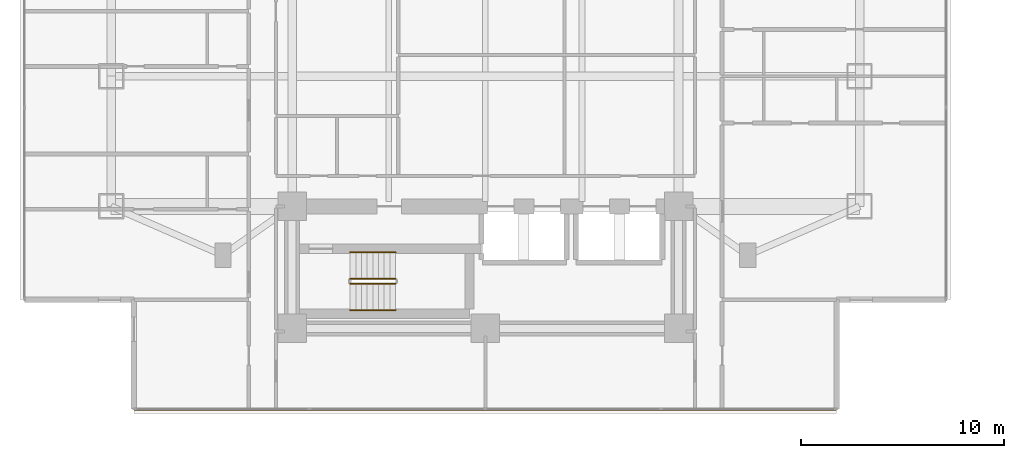
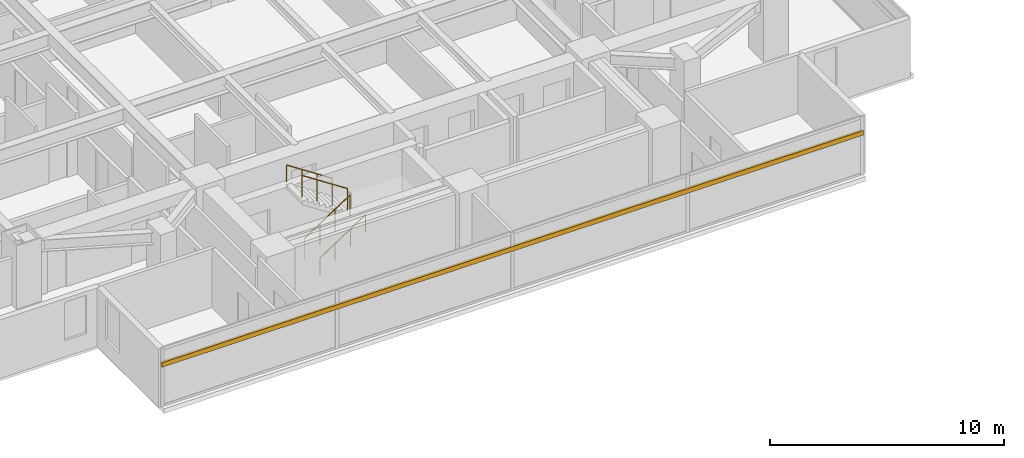
# One storey, part 23 of 27: 4 railings, 1 shading device.
"""IFC4 building model written with IfcOpenShell, lengths in metres."""

import ifcopenshell
import ifcopenshell.guid

model = None  # the IFC model being written
_history = None  # IfcOwnerHistory: only IFC2X3 demands one
_inside = {}  # id of a spatial element -> (the spatial element, [elements in it])
_under = {}  # id of a project, library or spatial element -> (it, [spatial elements below it])
_declared = {}  # id of a project -> (the project, [libraries it declares])
_typed = {}  # id of a type object -> (the type object, [elements of that type])
_made_of = {}  # id of a material, layer set ... -> (it, [elements and type objects made of it])


def new_model(schema):
    """Start an empty IFC model of exactly this schema.

    Asked for "IFC4X3", IfcOpenShell would pick the latest addendum, in which some entities
    have other attributes; the version numbers below select the first issue.
    IFC2X3 requires an IfcOwnerHistory on every rooted entity: one is made here for all.
    """
    global model, _history
    if schema == "IFC4X3":
        model = ifcopenshell.file(schema_version=(4, 3, 0, 0))
    else:
        model = ifcopenshell.file(schema=schema)
    _inside.clear()
    _under.clear()
    _declared.clear()
    _typed.clear()
    _made_of.clear()
    _history = None
    if model.schema == "IFC2X3":
        org = make("IfcOrganization", Name="unknown")
        user = make(
            "IfcPersonAndOrganization",
            ThePerson=make("IfcPerson", FamilyName="unknown"),
            TheOrganization=org,
        )
        app = make(
            "IfcApplication",
            ApplicationDeveloper=org,
            Version="unknown",
            ApplicationFullName="unknown",
            ApplicationIdentifier="unknown",
        )
        _history = make(
            "IfcOwnerHistory",
            OwningUser=user,
            OwningApplication=app,
            ChangeAction="ADDED",
            CreationDate=0,
        )
    return model


def make(cls, **values):
    """One entity of the class cls with the attributes given. An attribute that is None is left unset."""
    return model.create_entity(
        cls, **{name: value for name, value in values.items() if value is not None}
    )


def rooted(cls, **values):
    """An entity with a GlobalId (a new one), such as an element, a storey or a relation."""
    return make(cls, GlobalId=ifcopenshell.guid.new(), OwnerHistory=_history, **values)


def si_unit(unit_type, name, prefix=None):
    """IfcSIUnit, for example si_unit("LENGTHUNIT", "METRE", prefix="MILLI")."""
    return make("IfcSIUnit", UnitType=unit_type, Prefix=prefix, Name=name)


def assignment(units):
    """IfcUnitAssignment: the units of a project."""
    return None if units is None else make("IfcUnitAssignment", Units=units)


def point(xyz):
    """IfcCartesianPoint."""
    return None if xyz is None else make("IfcCartesianPoint", Coordinates=xyz)


def direction(xyz):
    """IfcDirection."""
    return None if xyz is None else make("IfcDirection", DirectionRatios=xyz)


def frame(location, z_axis=None, x_axis=None):
    """IfcAxis2Placement3D, a coordinate frame: its origin and axes. An axis left out is left unset."""
    return make(
        "IfcAxis2Placement3D",
        Location=point(location),
        Axis=direction(z_axis),
        RefDirection=direction(x_axis),
    )


def frame_2d(location, x_axis=None):
    """IfcAxis2Placement2D, a coordinate frame in the plane: its origin and x axis."""
    return make(
        "IfcAxis2Placement2D", Location=point(location), RefDirection=direction(x_axis)
    )


def origin():
    """The frame at (0, 0, 0) with its axes left unset."""
    return frame((0.0, 0.0, 0.0))


def origin_2d():
    """The frame at (0, 0) in the plane with its x axis left unset."""
    return frame_2d((0.0, 0.0))


def place(relative_to, where):
    """IfcLocalPlacement: puts the frame where relative to a parent placement (None: the world)."""
    return make(
        "IfcLocalPlacement", PlacementRelTo=relative_to, RelativePlacement=where
    )


def context(
    kind, dimensions, precision=None, world=None, true_north=None, identifier=None
):
    """IfcGeometricRepresentationContext, for example the 3D "Model" context."""
    return make(
        "IfcGeometricRepresentationContext",
        ContextIdentifier=identifier,
        ContextType=kind,
        CoordinateSpaceDimension=dimensions,
        Precision=precision,
        WorldCoordinateSystem=world,
        TrueNorth=true_north,
    )


def subcontext(parent, identifier, kind, view, scale=None):
    """IfcGeometricRepresentationSubContext, for example "Body" below "Model"."""
    return make(
        "IfcGeometricRepresentationSubContext",
        ContextIdentifier=identifier,
        ContextType=kind,
        ParentContext=parent,
        TargetScale=scale,
        TargetView=view,
    )


def project(units=None, contexts=None):
    """IfcProject with its units and contexts."""
    return rooted(
        "IfcProject",
        Name="project",
        RepresentationContexts=contexts,
        UnitsInContext=assignment(units),
    )


def spatial(cls, under=None, at=None, **own):
    """A site, building, storey or space (cls), placed at a placement, below another one or the project."""
    s = rooted(cls, ObjectPlacement=at, **own)
    if under is not None:
        _under.setdefault(under.id(), (under, []))[1].append(s)
    return s


def profile(cls, at=None, kind="AREA", **sizes):
    """A parametric profile (cls). Its sizes go by their IFC names, for example OverallWidth=200.0."""
    return make(cls, ProfileType=kind, Position=at, **sizes)


def rectangle(**sizes):
    """IfcRectangleProfileDef."""
    return profile("IfcRectangleProfileDef", **sizes)


def circle(**sizes):
    """IfcCircleProfileDef."""
    return profile("IfcCircleProfileDef", **sizes)


def extrude(swept, where, along, depth):
    """IfcExtrudedAreaSolid: the profile swept, set in the frame where, extruded along a direction by depth."""
    return make(
        "IfcExtrudedAreaSolid",
        SweptArea=swept,
        Position=where,
        ExtrudedDirection=direction(along),
        Depth=depth,
    )


def shape(context_of_items, identifier, shape_type, items):
    """IfcShapeRepresentation: the items that make up one representation, for example the "Body"."""
    return make(
        "IfcShapeRepresentation",
        ContextOfItems=context_of_items,
        RepresentationIdentifier=identifier,
        RepresentationType=shape_type,
        Items=items,
    )


def material(Name=None, Category=None):
    """IfcMaterial."""
    return make("IfcMaterial", Name=Name, Category=Category)


def material_profile(
    of_material, cross_section, Name=None, Category=None, Priority=None
):
    """IfcMaterialProfile: a cross section and its material."""
    return make(
        "IfcMaterialProfile",
        Name=Name,
        Material=of_material,
        Profile=cross_section,
        Priority=Priority,
        Category=Category,
    )


def profile_set(profiles, Name=None, composite=None):
    """IfcMaterialProfileSet."""
    return make(
        "IfcMaterialProfileSet",
        Name=Name,
        MaterialProfiles=profiles,
        CompositeProfile=composite,
    )


def made_of(thing, what):
    """Note that an element or type object is made of a material, layer set ...; save() writes the relation."""
    if what is not None:
        _made_of.setdefault(what.id(), (what, []))[1].append(thing)
    return thing


def type_object(cls, material=None, **own):
    """A type object (cls), such as IfcWallType, which elements share."""
    return made_of(rooted(cls, **own), material)


def element(
    cls,
    number,
    at=None,
    inside=None,
    cuts=None,
    type_object=None,
    material=None,
    context=None,
    identifier="Body",
    shape_type=None,
    held_by="IfcProductDefinitionShape",
    body=None,
    shapes=None,
    **own,
):
    """One element of the class cls, such as IfcWall. Its Tag is "e" and its number.

    at: its placement. inside: the storey or other place that contains it. cuts: it is an
    opening in that element (IfcRelVoidsElement). A single representation is given by context,
    identifier, shape_type and body (its items); several are given by shapes. held_by: the class
    of the entity that holds the representations. save() writes the other relations.
    """
    e = rooted(cls, Tag="e%d" % number, ObjectPlacement=at, **own)
    if body is not None:
        shapes = [shape(context, identifier, shape_type, body)]
    if shapes is not None:
        e.Representation = make(held_by, Representations=shapes)
    if inside is not None:
        _inside.setdefault(inside.id(), (inside, []))[1].append(e)
    if cuts is not None:
        rooted(
            "IfcRelVoidsElement", RelatingBuildingElement=cuts, RelatedOpeningElement=e
        )
    if type_object is not None:
        _typed.setdefault(type_object.id(), (type_object, []))[1].append(e)
    return made_of(e, material)


def aggregate(whole, parts):
    """IfcRelAggregates: a whole, such as a stair, and the parts it consists of."""
    return rooted("IfcRelAggregates", RelatingObject=whole, RelatedObjects=parts)


def save(model, path):
    """Write the relations noted so far, then the file.

    IfcRelAggregates (storeys below a building ...), IfcRelContainedInSpatialStructure (elements
    in a storey), IfcRelDefinesByType, IfcRelAssociatesMaterial and IfcRelDeclares: one each for
    every whole, place, type object, material and project.
    """
    for whole, parts in _under.values():
        aggregate(whole, parts)
    for where, things in _inside.values():
        rooted(
            "IfcRelContainedInSpatialStructure",
            RelatedElements=things,
            RelatingStructure=where,
        )
    for kind, things in _typed.values():
        rooted("IfcRelDefinesByType", RelatedObjects=things, RelatingType=kind)
    for what, things in _made_of.values():
        rooted("IfcRelAssociatesMaterial", RelatedObjects=things, RelatingMaterial=what)
    for by, libraries in _declared.values():
        rooted("IfcRelDeclares", RelatingContext=by, RelatedDefinitions=libraries)
    model.write(path)


model = new_model("IFC4")

# Units and contexts
model_context = context("Model", 3, precision=1e-05, world=origin(), true_north=direction((0.0, 1.0)))
body_context = subcontext(model_context, "Body", "Model", "MODEL_VIEW")
ifc_project = project(units=[si_unit("LENGTHUNIT", "METRE"), si_unit("AREAUNIT", "SQUARE_METRE"), si_unit("VOLUMEUNIT", "CUBIC_METRE"), si_unit("PLANEANGLEUNIT", "RADIAN"), si_unit("MASSUNIT", "GRAM", prefix="KILO")], contexts=[model_context])

# Site, building, storey
site_placement = place(None, origin())
site = spatial("IfcSite", under=ifc_project, at=site_placement, CompositionType="ELEMENT")
building_placement = place(site_placement, origin())
building = spatial("IfcBuilding", under=site, at=building_placement, Name="Mirazonda Arch Towers", CompositionType="ELEMENT")
storey_placement = place(building_placement, frame((0.0, 0.0, 42.199951171875)))
storey = spatial("IfcBuildingStorey", under=building, at=storey_placement, Name="L11", CompositionType="ELEMENT", Elevation=42.199951171875)

# Shading device
ifc_material_1 = material(Name="Kiln-Fired Architectural Terracotta", Category="masonry")
ifc_material_profile = material_profile(ifc_material_1, rectangle(XDim=0.1201171875, YDim=0.239990234375, at=origin_2d()), Name="TERRA-BAG-120x240")
ifc_profile_set = profile_set([ifc_material_profile], Name="Kiln-Fired Architectural Terracotta")
shading_device_type = type_object("IfcShadingDeviceType", Name="BAGUETTE-1", PredefinedType="USERDEFINED", material=ifc_profile_set)
shading_device_placement = place(storey_placement, frame((37.780029296875, 8.431884765625, 2.18896484375), z_axis=(-1.0, 0.0, 0.0), x_axis=(0.0, -1.0, 0.0)))
element("IfcShadingDevice", 1, at=shading_device_placement, inside=storey, type_object=shading_device_type, Name="L11 Glazed Terracotta Sun-Screen Baguette CW-L11-T1-S", ObjectType="BAGUETTE", PredefinedType="USERDEFINED", context=body_context, shape_type="SweptSolid", body=[
    extrude(rectangle(XDim=0.1201171875, YDim=0.239990234375, at=origin_2d()), origin(), (0.0, 0.0, 1.0), 34.56005859375),
])

# Railings
ifc_material_2 = material(Name="Architectural Brushed Steel S355", Category="steel")
railing_type_1 = type_object("IfcRailingType", Name="GUARD-STAIR-1120", PredefinedType="GUARDRAIL", material=ifc_material_2)
railing_1_placement = place(storey_placement, frame((13.85009765625, 14.60009765625, 0.183349609375)))
element("IfcRailing", 2, at=railing_1_placement, inside=storey, type_object=railing_type_1, Name="L11 ST-T1S stair guard 1", PredefinedType="GUARDRAIL", context=body_context, shape_type="SweptSolid", body=[
    extrude(circle(Radius=0.02392578125, at=origin_2d()), frame((0.0, 0.0, 1.1259765625), z_axis=(0.836595146698, 0.0, 0.547821650285), x_axis=(0.0, 1.0, 0.0)), (0.0, 0.0, 1.0), 2.677490234375),
    extrude(circle(Radius=0.02099609375, at=origin_2d()), origin(), (0.0, 0.0, 1.0), 1.101806640625),
    extrude(circle(Radius=0.02099609375, at=origin_2d()), frame((0.74658203125, 0.0, 0.489013671875)), (0.0, 0.0, 1.0), 1.101806640625),
    extrude(circle(Radius=0.02099609375, at=origin_2d()), frame((1.493408203125, 0.0, 0.977783203125)), (0.0, 0.0, 1.0), 1.101806640625),
    extrude(circle(Radius=0.02099609375, at=origin_2d()), frame((2.239990234375, 0.0, 1.466796875)), (0.0, 0.0, 1.0), 1.101806640625),
])
railing_2_placement = place(storey_placement, frame((16.090087890625, 14.840087890625, 1.83349609375)))
element("IfcRailing", 3, at=railing_2_placement, inside=storey, type_object=railing_type_1, Name="L11 ST-T1S stair guard 3", PredefinedType="GUARDRAIL", context=body_context, shape_type="SweptSolid", body=[
    extrude(circle(Radius=0.02392578125, at=origin_2d()), frame((0.0, 0.0, 1.1259765625), z_axis=(-0.836636935527, 0.0, 0.547757827979), x_axis=(0.0, -1.0, 0.0)), (0.0, 0.0, 1.0), 2.677490234375),
    extrude(circle(Radius=0.02099609375, at=origin_2d()), origin(), (0.0, 0.0, 1.0), 1.101806640625),
    extrude(circle(Radius=0.02099609375, at=origin_2d()), frame((-0.74658203125, 0.0, 0.48876953125)), (0.0, 0.0, 1.0), 1.101806640625),
    extrude(circle(Radius=0.02099609375, at=origin_2d()), frame((-1.493408203125, 0.0, 0.977783203125)), (0.0, 0.0, 1.0), 1.101806640625),
    extrude(circle(Radius=0.02099609375, at=origin_2d()), frame((-2.239990234375, 0.0, 1.466552734375)), (0.0, 0.0, 1.0), 1.101806640625),
])
railing_type_2 = type_object("IfcRailingType", Name="HANDRAIL-915", PredefinedType="HANDRAIL", material=ifc_material_2)
railing_3_placement = place(storey_placement, frame((13.85009765625, 13.300048828125, 0.183349609375)))
element("IfcRailing", 4, at=railing_3_placement, inside=storey, type_object=railing_type_2, Name="L11 ST-T1S stair handrail 1", PredefinedType="HANDRAIL", context=body_context, shape_type="SweptSolid", body=[
    extrude(circle(Radius=0.02392578125, at=origin_2d()), frame((0.0, 0.0, 0.8759765625), z_axis=(0.836595146698, 0.0, 0.547821650285), x_axis=(0.0, 1.0, 0.0)), (0.0, 0.0, 1.0), 2.677490234375),
    extrude(circle(Radius=0.02099609375, at=origin_2d()), origin(), (0.0, 0.0, 1.0), 0.851806640625),
    extrude(circle(Radius=0.02099609375, at=origin_2d()), frame((0.74658203125, 0.0, 0.489013671875)), (0.0, 0.0, 1.0), 0.851806640625),
    extrude(circle(Radius=0.02099609375, at=origin_2d()), frame((1.493408203125, 0.0, 0.977783203125)), (0.0, 0.0, 1.0), 0.851806640625),
    extrude(circle(Radius=0.02099609375, at=origin_2d()), frame((2.239990234375, 0.0, 1.466796875)), (0.0, 0.0, 1.0), 0.851806640625),
])
railing_4_placement = place(storey_placement, frame((16.090087890625, 16.139892578125, 1.83349609375)))
element("IfcRailing", 5, at=railing_4_placement, inside=storey, type_object=railing_type_2, Name="L11 ST-T1S stair handrail 2", PredefinedType="HANDRAIL", context=body_context, shape_type="SweptSolid", body=[
    extrude(circle(Radius=0.02392578125, at=origin_2d()), frame((0.0, 0.0, 0.8759765625), z_axis=(-0.836636935527, 0.0, 0.547757827979), x_axis=(0.0, -1.0, 0.0)), (0.0, 0.0, 1.0), 2.677490234375),
    extrude(circle(Radius=0.02099609375, at=origin_2d()), origin(), (0.0, 0.0, 1.0), 0.851806640625),
    extrude(circle(Radius=0.02099609375, at=origin_2d()), frame((-0.74658203125, 0.0, 0.48876953125)), (0.0, 0.0, 1.0), 0.851806640625),
    extrude(circle(Radius=0.02099609375, at=origin_2d()), frame((-1.493408203125, 0.0, 0.977783203125)), (0.0, 0.0, 1.0), 0.851806640625),
    extrude(circle(Radius=0.02099609375, at=origin_2d()), frame((-2.239990234375, 0.0, 1.466552734375)), (0.0, 0.0, 1.0), 0.851806640625),
])

save(model, "model.ifc")
